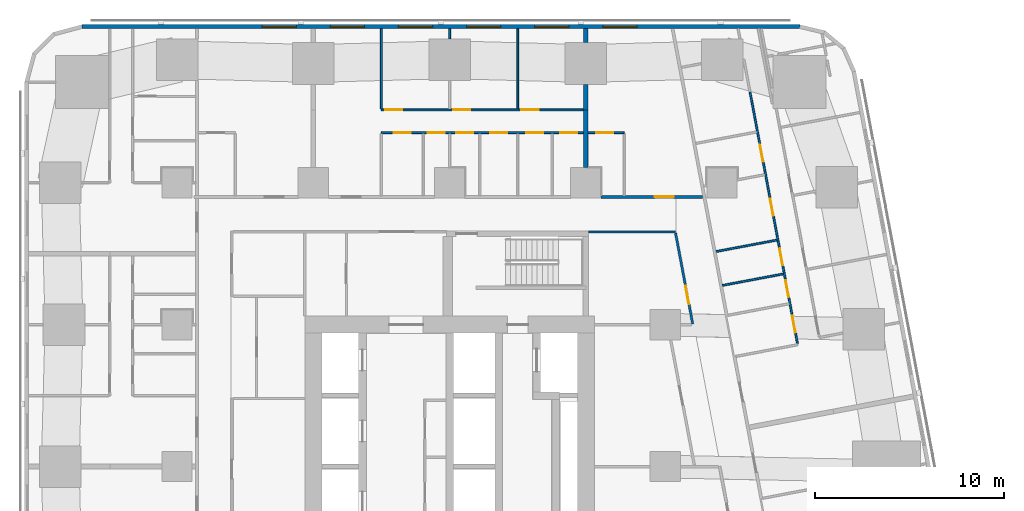
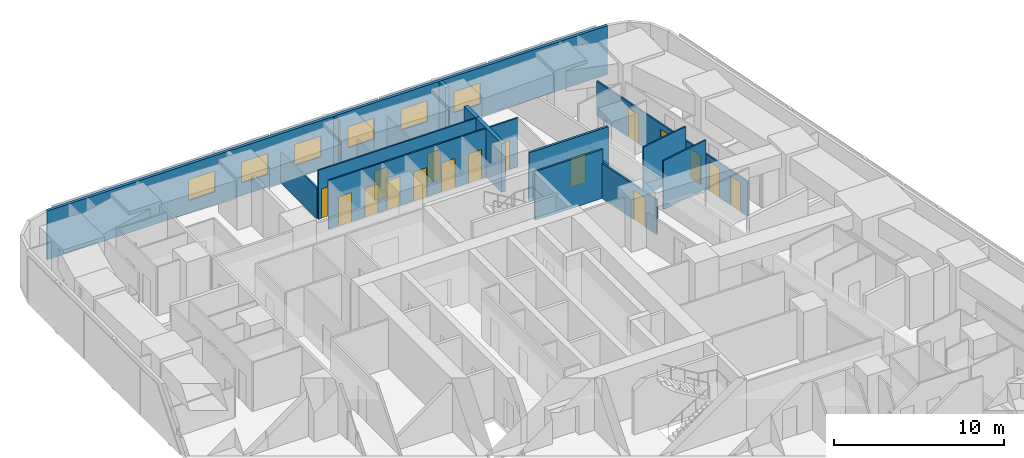
# One storey, part 9 of 15: 17 doors, 16 walls, 6 windows, 23 openings.
"""IFC4 building model written with IfcOpenShell, lengths in metres."""

from ifc_helpers import new_model, si_unit, direction, frame, frame_2d, origin, place, context, subcontext, project, spatial, rectangle, extrude, material, layer, layer_set, type_object, element, fill, save


model = new_model("IFC4")

# Units and contexts
model_context = context("Model", 3, precision=1e-05, world=origin(), true_north=direction((0.0, 1.0)))
body_context = subcontext(model_context, "Body", "Model", "MODEL_VIEW")
ifc_project = project(units=[si_unit("LENGTHUNIT", "METRE"), si_unit("AREAUNIT", "SQUARE_METRE"), si_unit("VOLUMEUNIT", "CUBIC_METRE"), si_unit("PLANEANGLEUNIT", "RADIAN"), si_unit("MASSUNIT", "GRAM", prefix="KILO")], contexts=[model_context])

# Site, building, storey
site_placement = place(None, origin())
site = spatial("IfcSite", under=ifc_project, at=site_placement, CompositionType="ELEMENT")
building_placement = place(site_placement, origin())
building = spatial("IfcBuilding", under=site, at=building_placement, Name="Sheger Commons Tower", CompositionType="ELEMENT")
storey_placement = place(building_placement, frame((0.0, 0.0, 81.64990234375)))
storey = spatial("IfcBuildingStorey", under=building, at=storey_placement, Name="L20", CompositionType="ELEMENT", Elevation=81.64990234375)

# Wall, opening, door
ifc_material_1 = material(Name="Hollow concrete block masonry, skimmed both sides", Category="masonry")
ifc_layer_1 = layer(ifc_material_1, 0.14990234375)
ifc_layer_set_1 = layer_set([ifc_layer_1], Name="CORRIDOR WALL 150")
wall_type_1 = type_object("IfcWallType", Name="CORRIDOR WALL 150", PredefinedType="SOLIDWALL", material=ifc_layer_set_1)
wall_1_placement = place(storey_placement, frame((29.60107421875, 36.75, 0.0), z_axis=(0.0, 0.0, 1.0), x_axis=(1.0, 0.0, 0.0)))
wall_1 = element("IfcWall", 1, at=wall_1_placement, inside=storey, type_object=wall_type_1, Name="Corridor wall L20", PredefinedType="SOLIDWALL", context=body_context, shape_type="SweptSolid", body=[
    extrude(rectangle(XDim=5.371826171875, YDim=0.14990234375, at=frame_2d((2.68603515625, 0.0))), origin(), (0.0, 0.0, 1.0), 3.5),
])
opening_1_placement = place(wall_1_placement, frame((2.844970703125, 0.0, 0.0)))
opening_1 = element("IfcOpeningElement", 2, at=opening_1_placement, cuts=wall_1, Name="Opening D1", PredefinedType="OPENING", context=body_context, shape_type="SweptSolid", body=[
    extrude(rectangle(XDim=1.0, YDim=2.10009765625, at=frame_2d((0.5, 1.050048828125))), frame((0.0, 0.0849609375, 0.0), z_axis=(0.0, -1.0, 0.0), x_axis=(1.0, 0.0, 0.0)), (0.0, 0.0, 1.0), 0.169921875),
])
ifc_material_2 = material(Name="Steel door set, fire rated", Category="steel")
door_type_1 = type_object("IfcDoorType", Name="FLAT ENTRANCE DOOR 1000x2100", OperationType="NOTDEFINED", PredefinedType="DOOR", material=ifc_material_2)
door_1_placement = place(opening_1_placement, origin())
door_1 = element("IfcDoor", 3, at=door_1_placement, inside=storey, type_object=door_type_1, Name="Flat entrance door", OperationType="SINGLE_SWING_RIGHT", OverallHeight=2.10009765625, OverallWidth=1.0, PredefinedType="DOOR", context=body_context, shape_type="SweptSolid", body=[
    extrude(rectangle(XDim=1.0, YDim=2.10009765625, at=frame_2d((0.5, 1.050048828125))), frame((0.0, 0.02490234375, 0.0), z_axis=(0.0, -1.0, 0.0), x_axis=(1.0, 0.0, 0.0)), (0.0, 0.0, 1.0), 0.050048828125),
])
fill(opening_1, door_1)

# Walls
ifc_material_3 = material(Name="Dense concrete block masonry, plastered both sides (separating wall between flats)", Category="masonry")
ifc_layer_2 = layer(ifc_material_3, 0.25)
ifc_layer_set_2 = layer_set([ifc_layer_2], Name="DEMISING WALL 250")
wall_type_2 = type_object("IfcWallType", Name="DEMISING WALL 250", PredefinedType="SOLIDWALL", material=ifc_layer_set_2)
wall_2_placement = place(storey_placement, frame((28.800048828125, 41.35009765625, 0.0), z_axis=(0.0, 0.0, 1.0), x_axis=(0.0, 1.0, 0.0)))
element("IfcWall", 4, at=wall_2_placement, inside=storey, type_object=wall_type_2, Name="Demising wall L20", PredefinedType="SOLIDWALL", context=body_context, shape_type="SweptSolid", body=[
    extrude(rectangle(XDim=1.348876953125, YDim=0.25, at=frame_2d((0.67431640625, 0.0))), origin(), (0.0, 0.0, 1.0), 3.5),
])
wall_3_placement = place(storey_placement, frame((28.800048828125, 44.90087890625, 0.0), z_axis=(0.0, 0.0, 1.0), x_axis=(0.0, 1.0, 0.0)))
element("IfcWall", 5, at=wall_3_placement, inside=storey, type_object=wall_type_2, Name="Demising wall L20", PredefinedType="SOLIDWALL", context=body_context, shape_type="SweptSolid", body=[
    extrude(rectangle(XDim=0.7490234375, YDim=0.25, at=frame_2d((0.37451171875, 0.0))), origin(), (0.0, 0.0, 1.0), 3.5),
])
wall_4_placement = place(storey_placement, frame((28.800048828125, 38.301025390625, 0.0), z_axis=(0.0, 0.0, 1.0), x_axis=(0.0, 1.0, 0.0)))
element("IfcWall", 6, at=wall_4_placement, inside=storey, type_object=wall_type_2, Name="Demising wall L20", PredefinedType="SOLIDWALL", context=body_context, shape_type="SweptSolid", body=[
    extrude(rectangle(XDim=3.049072265625, YDim=0.25, at=frame_2d((1.5244140625, 0.0))), origin(), (0.0, 0.0, 1.0), 3.5),
])

# Wall, openings, windows
ifc_material_4 = material(Name="Rendered concrete block masonry, dark grey", Category="masonry")
ifc_layer_3 = layer(ifc_material_4, 0.199951171875)
ifc_layer_set_3 = layer_set([ifc_layer_3], Name="FACADE WALL 200")
wall_type_3 = type_object("IfcWallType", Name="FACADE WALL 200", PredefinedType="SOLIDWALL", material=ifc_layer_set_3)
wall_5_placement = place(storey_placement, frame((40.10595703125, 45.75, 0.0), z_axis=(0.0, 0.0, 1.0), x_axis=(-1.0, 0.0, 0.0)))
wall_5 = element("IfcWall", 7, at=wall_5_placement, inside=storey, type_object=wall_type_3, Name="Facade wall L20", PredefinedType="SOLIDWALL", context=body_context, shape_type="SweptSolid", body=[
    extrude(rectangle(XDim=37.94287109375, YDim=0.199951171875, at=frame_2d((18.971435546875, 0.0))), origin(), (0.0, 0.0, 1.0), 3.5),
])
opening_2_placement = place(wall_5_placement, frame((8.60595703125, 0.0, 0.89990234375)))
opening_2 = element("IfcOpeningElement", 8, at=opening_2_placement, cuts=wall_5, Name="Opening W2", PredefinedType="OPENING", context=body_context, shape_type="SweptSolid", body=[
    extrude(rectangle(XDim=1.800048828125, YDim=1.5, at=frame_2d((0.89990234375, 0.75))), frame((0.0, 0.10986328125, 0.0), z_axis=(0.0, -1.0, 0.0), x_axis=(1.0, 0.0, 0.0)), (0.0, 0.0, 1.0), 0.219970703125),
])
opening_3_placement = place(wall_5_placement, frame((12.2060546875, 0.0, 0.89990234375)))
opening_3 = element("IfcOpeningElement", 9, at=opening_3_placement, cuts=wall_5, Name="Opening W2", PredefinedType="OPENING", context=body_context, shape_type="SweptSolid", body=[
    extrude(rectangle(XDim=1.800048828125, YDim=1.5, at=frame_2d((0.89990234375, 0.75))), frame((0.0, 0.10986328125, 0.0), z_axis=(0.0, -1.0, 0.0), x_axis=(1.0, 0.0, 0.0)), (0.0, 0.0, 1.0), 0.219970703125),
])
opening_4_placement = place(wall_5_placement, frame((15.805908203125, 0.0, 0.89990234375)))
opening_4 = element("IfcOpeningElement", 10, at=opening_4_placement, cuts=wall_5, Name="Opening W2", PredefinedType="OPENING", context=body_context, shape_type="SweptSolid", body=[
    extrude(rectangle(XDim=1.800048828125, YDim=1.5, at=frame_2d((0.89990234375, 0.75))), frame((0.0, 0.10986328125, 0.0), z_axis=(0.0, -1.0, 0.0), x_axis=(1.0, 0.0, 0.0)), (0.0, 0.0, 1.0), 0.219970703125),
])
opening_5_placement = place(wall_5_placement, frame((19.406005859375, 0.0, 0.89990234375)))
opening_5 = element("IfcOpeningElement", 11, at=opening_5_placement, cuts=wall_5, Name="Opening W2", PredefinedType="OPENING", context=body_context, shape_type="SweptSolid", body=[
    extrude(rectangle(XDim=1.800048828125, YDim=1.5, at=frame_2d((0.89990234375, 0.75))), frame((0.0, 0.10986328125, 0.0), z_axis=(0.0, -1.0, 0.0), x_axis=(1.0, 0.0, 0.0)), (0.0, 0.0, 1.0), 0.219970703125),
])
opening_6_placement = place(wall_5_placement, frame((23.006103515625, 0.0, 0.89990234375)))
opening_6 = element("IfcOpeningElement", 12, at=opening_6_placement, cuts=wall_5, Name="Opening W2", PredefinedType="OPENING", context=body_context, shape_type="SweptSolid", body=[
    extrude(rectangle(XDim=1.800048828125, YDim=1.5, at=frame_2d((0.89990234375, 0.75))), frame((0.0, 0.10986328125, 0.0), z_axis=(0.0, -1.0, 0.0), x_axis=(1.0, 0.0, 0.0)), (0.0, 0.0, 1.0), 0.219970703125),
])
opening_7_placement = place(wall_5_placement, frame((26.60595703125, 0.0, 0.89990234375)))
opening_7 = element("IfcOpeningElement", 13, at=opening_7_placement, cuts=wall_5, Name="Opening W2", PredefinedType="OPENING", context=body_context, shape_type="SweptSolid", body=[
    extrude(rectangle(XDim=1.800048828125, YDim=1.5, at=frame_2d((0.89990234375, 0.75))), frame((0.0, 0.10986328125, 0.0), z_axis=(0.0, -1.0, 0.0), x_axis=(1.0, 0.0, 0.0)), (0.0, 0.0, 1.0), 0.219970703125),
])
ifc_material_5 = material(Name="Black aluminium frame, dark tinted double glazing", Category="aluminium")
window_type = type_object("IfcWindowType", Name="WINDOW W2 1800x1500", PartitioningType="SINGLE_PANEL", PredefinedType="WINDOW", material=ifc_material_5)
window_1_placement = place(opening_2_placement, origin())
window_1 = element("IfcWindow", 14, at=window_1_placement, inside=storey, type_object=window_type, Name="Window W2 1800X1500", OverallHeight=1.5, OverallWidth=1.800048828125, PartitioningType="SINGLE_PANEL", PredefinedType="WINDOW", context=body_context, shape_type="SweptSolid", body=[
    extrude(rectangle(XDim=1.800048828125, YDim=1.5, at=frame_2d((0.89990234375, 0.75))), frame((0.0, 0.030029296875, 0.0), z_axis=(0.0, -1.0, 0.0), x_axis=(1.0, 0.0, 0.0)), (0.0, 0.0, 1.0), 0.06005859375),
])
fill(opening_2, window_1)
window_2_placement = place(opening_3_placement, origin())
window_2 = element("IfcWindow", 15, at=window_2_placement, inside=storey, type_object=window_type, Name="Window W2 1800X1500", OverallHeight=1.5, OverallWidth=1.800048828125, PartitioningType="SINGLE_PANEL", PredefinedType="WINDOW", context=body_context, shape_type="SweptSolid", body=[
    extrude(rectangle(XDim=1.800048828125, YDim=1.5, at=frame_2d((0.89990234375, 0.75))), frame((0.0, 0.030029296875, 0.0), z_axis=(0.0, -1.0, 0.0), x_axis=(1.0, 0.0, 0.0)), (0.0, 0.0, 1.0), 0.06005859375),
])
fill(opening_3, window_2)
window_3_placement = place(opening_4_placement, origin())
window_3 = element("IfcWindow", 16, at=window_3_placement, inside=storey, type_object=window_type, Name="Window W2 1800X1500", OverallHeight=1.5, OverallWidth=1.800048828125, PartitioningType="SINGLE_PANEL", PredefinedType="WINDOW", context=body_context, shape_type="SweptSolid", body=[
    extrude(rectangle(XDim=1.800048828125, YDim=1.5, at=frame_2d((0.89990234375, 0.75))), frame((0.0, 0.030029296875, 0.0), z_axis=(0.0, -1.0, 0.0), x_axis=(1.0, 0.0, 0.0)), (0.0, 0.0, 1.0), 0.06005859375),
])
fill(opening_4, window_3)
window_4_placement = place(opening_5_placement, origin())
window_4 = element("IfcWindow", 17, at=window_4_placement, inside=storey, type_object=window_type, Name="Window W2 1800X1500", OverallHeight=1.5, OverallWidth=1.800048828125, PartitioningType="SINGLE_PANEL", PredefinedType="WINDOW", context=body_context, shape_type="SweptSolid", body=[
    extrude(rectangle(XDim=1.800048828125, YDim=1.5, at=frame_2d((0.89990234375, 0.75))), frame((0.0, 0.030029296875, 0.0), z_axis=(0.0, -1.0, 0.0), x_axis=(1.0, 0.0, 0.0)), (0.0, 0.0, 1.0), 0.06005859375),
])
fill(opening_5, window_4)
window_5_placement = place(opening_6_placement, origin())
window_5 = element("IfcWindow", 18, at=window_5_placement, inside=storey, type_object=window_type, Name="Window W2 1800X1500", OverallHeight=1.5, OverallWidth=1.800048828125, PartitioningType="SINGLE_PANEL", PredefinedType="WINDOW", context=body_context, shape_type="SweptSolid", body=[
    extrude(rectangle(XDim=1.800048828125, YDim=1.5, at=frame_2d((0.89990234375, 0.75))), frame((0.0, 0.030029296875, 0.0), z_axis=(0.0, -1.0, 0.0), x_axis=(1.0, 0.0, 0.0)), (0.0, 0.0, 1.0), 0.06005859375),
])
fill(opening_6, window_5)
window_6_placement = place(opening_7_placement, origin())
window_6 = element("IfcWindow", 19, at=window_6_placement, inside=storey, type_object=window_type, Name="Window W2 1800X1500", OverallHeight=1.5, OverallWidth=1.800048828125, PartitioningType="SINGLE_PANEL", PredefinedType="WINDOW", context=body_context, shape_type="SweptSolid", body=[
    extrude(rectangle(XDim=1.800048828125, YDim=1.5, at=frame_2d((0.89990234375, 0.75))), frame((0.0, 0.030029296875, 0.0), z_axis=(0.0, -1.0, 0.0), x_axis=(1.0, 0.0, 0.0)), (0.0, 0.0, 1.0), 0.06005859375),
])
fill(opening_7, window_6)

# Wall, openings, doors
ifc_material_6 = material(Name="Gypsum board on steel studs", Category="steel")
ifc_layer_4 = layer(ifc_material_6, 0.10009765625)
ifc_layer_set_4 = layer_set([ifc_layer_4], Name="PARTITION 100")
wall_type_4 = type_object("IfcWallType", Name="PARTITION 100", PredefinedType="PARTITIONING", material=ifc_layer_set_4)
wall_6_placement = place(storey_placement, frame((37.472900390625, 42.30908203125, 0.0), z_axis=(0.0, 0.0, 1.0), x_axis=(0.185570636839, -0.982630927024, 0.0)))
wall_6 = element("IfcWall", 20, at=wall_6_placement, inside=storey, type_object=wall_type_4, Name="Partition L20", PredefinedType="PARTITIONING", context=body_context, shape_type="SweptSolid", body=[
    extrude(rectangle(XDim=13.553466796875, YDim=0.10009765625, at=frame_2d((6.77685546875, 0.0))), origin(), (0.0, 0.0, 1.0), 2.5),
])
opening_8_placement = place(wall_6_placement, frame((12.049072265625, 0.0, 0.0)))
opening_8 = element("IfcOpeningElement", 21, at=opening_8_placement, cuts=wall_6, Name="Opening D2", PredefinedType="OPENING", context=body_context, shape_type="SweptSolid", body=[
    extrude(rectangle(XDim=0.89990234375, YDim=2.10009765625, at=frame_2d((0.449951171875, 1.050048828125))), frame((0.0, 0.06005859375, 0.0), z_axis=(0.0, -1.0, 0.0), x_axis=(1.0, 0.0, 0.0)), (0.0, 0.0, 1.0), 0.1201171875),
])
opening_9_placement = place(wall_6_placement, frame((8.427001953125, 0.0, 0.0)))
opening_9 = element("IfcOpeningElement", 22, at=opening_9_placement, cuts=wall_6, Name="Opening D2", PredefinedType="OPENING", context=body_context, shape_type="SweptSolid", body=[
    extrude(rectangle(XDim=0.89990234375, YDim=2.10009765625, at=frame_2d((0.449951171875, 1.050048828125))), frame((0.0, 0.06005859375, 0.0), z_axis=(0.0, -1.0, 0.0), x_axis=(1.0, 0.0, 0.0)), (0.0, 0.0, 1.0), 0.1201171875),
])
opening_10_placement = place(wall_6_placement, frame((2.85302734375, 0.0, 0.0)))
opening_10 = element("IfcOpeningElement", 23, at=opening_10_placement, cuts=wall_6, Name="Opening D2", PredefinedType="OPENING", context=body_context, shape_type="SweptSolid", body=[
    extrude(rectangle(XDim=0.89990234375, YDim=2.10009765625, at=frame_2d((0.449951171875, 1.050048828125))), frame((0.0, 0.06005859375, 0.0), z_axis=(0.0, -1.0, 0.0), x_axis=(1.0, 0.0, 0.0)), (0.0, 0.0, 1.0), 0.1201171875),
])
opening_11_placement = place(wall_6_placement, frame((10.139892578125, 0.0, 0.0)))
opening_11 = element("IfcOpeningElement", 24, at=opening_11_placement, cuts=wall_6, Name="Opening D2", PredefinedType="OPENING", context=body_context, shape_type="SweptSolid", body=[
    extrude(rectangle(XDim=0.89990234375, YDim=2.10009765625, at=frame_2d((0.449951171875, 1.050048828125))), frame((0.0, 0.06005859375, 0.0), z_axis=(0.0, -1.0, 0.0), x_axis=(1.0, 0.0, 0.0)), (0.0, 0.0, 1.0), 0.1201171875),
])
opening_12_placement = place(wall_6_placement, frame((5.759033203125, 0.0, 0.0)))
opening_12 = element("IfcOpeningElement", 25, at=opening_12_placement, cuts=wall_6, Name="Opening D2", PredefinedType="OPENING", context=body_context, shape_type="SweptSolid", body=[
    extrude(rectangle(XDim=0.89990234375, YDim=2.10009765625, at=frame_2d((0.449951171875, 1.050048828125))), frame((0.0, 0.06005859375, 0.0), z_axis=(0.0, -1.0, 0.0), x_axis=(1.0, 0.0, 0.0)), (0.0, 0.0, 1.0), 0.1201171875),
])
ifc_material_7 = material(Name="Timber door set", Category="wood")
door_type_2 = type_object("IfcDoorType", Name="INTERNAL DOOR 900x2100", OperationType="NOTDEFINED", PredefinedType="DOOR", material=ifc_material_7)
door_2_placement = place(opening_8_placement, origin())
door_2 = element("IfcDoor", 26, at=door_2_placement, inside=storey, type_object=door_type_2, Name="Bathroom door", OperationType="SINGLE_SWING_LEFT", OverallHeight=2.10009765625, OverallWidth=0.89990234375, PredefinedType="DOOR", context=body_context, shape_type="SweptSolid", body=[
    extrude(rectangle(XDim=0.89990234375, YDim=2.10009765625, at=frame_2d((0.449951171875, 1.050048828125))), frame((0.0, 0.02490234375, 0.0), z_axis=(0.0, -1.0, 0.0), x_axis=(1.0, 0.0, 0.0)), (0.0, 0.0, 1.0), 0.050048828125),
])
fill(opening_8, door_2)
door_3_placement = place(opening_9_placement, origin())
door_3 = element("IfcDoor", 27, at=door_3_placement, inside=storey, type_object=door_type_2, Name="Laundry room door", OperationType="SINGLE_SWING_RIGHT", OverallHeight=2.10009765625, OverallWidth=0.89990234375, PredefinedType="DOOR", context=body_context, shape_type="SweptSolid", body=[
    extrude(rectangle(XDim=0.89990234375, YDim=2.10009765625, at=frame_2d((0.449951171875, 1.050048828125))), frame((0.0, 0.02490234375, 0.0), z_axis=(0.0, -1.0, 0.0), x_axis=(1.0, 0.0, 0.0)), (0.0, 0.0, 1.0), 0.050048828125),
])
fill(opening_9, door_3)
door_4_placement = place(opening_10_placement, origin())
door_4 = element("IfcDoor", 28, at=door_4_placement, inside=storey, type_object=door_type_2, Name="Laundry room door", OperationType="SINGLE_SWING_RIGHT", OverallHeight=2.10009765625, OverallWidth=0.89990234375, PredefinedType="DOOR", context=body_context, shape_type="SweptSolid", body=[
    extrude(rectangle(XDim=0.89990234375, YDim=2.10009765625, at=frame_2d((0.449951171875, 1.050048828125))), frame((0.0, 0.02490234375, 0.0), z_axis=(0.0, -1.0, 0.0), x_axis=(1.0, 0.0, 0.0)), (0.0, 0.0, 1.0), 0.050048828125),
])
fill(opening_10, door_4)
door_5_placement = place(opening_11_placement, origin())
door_5 = element("IfcDoor", 29, at=door_5_placement, inside=storey, type_object=door_type_2, Name="Store door", OperationType="SINGLE_SWING_LEFT", OverallHeight=2.10009765625, OverallWidth=0.89990234375, PredefinedType="DOOR", context=body_context, shape_type="SweptSolid", body=[
    extrude(rectangle(XDim=0.89990234375, YDim=2.10009765625, at=frame_2d((0.449951171875, 1.050048828125))), frame((0.0, 0.02490234375, 0.0), z_axis=(0.0, -1.0, 0.0), x_axis=(1.0, 0.0, 0.0)), (0.0, 0.0, 1.0), 0.050048828125),
])
fill(opening_11, door_5)
door_6_placement = place(opening_12_placement, origin())
door_6 = element("IfcDoor", 30, at=door_6_placement, inside=storey, type_object=door_type_2, Name="Store door", OperationType="SINGLE_SWING_LEFT", OverallHeight=2.10009765625, OverallWidth=0.89990234375, PredefinedType="DOOR", context=body_context, shape_type="SweptSolid", body=[
    extrude(rectangle(XDim=0.89990234375, YDim=2.10009765625, at=frame_2d((0.449951171875, 1.050048828125))), frame((0.0, 0.02490234375, 0.0), z_axis=(0.0, -1.0, 0.0), x_axis=(1.0, 0.0, 0.0)), (0.0, 0.0, 1.0), 0.050048828125),
])
fill(opening_12, door_6)

# Walls
wall_7_placement = place(storey_placement, frame((39.239990234375, 32.68310546875, 0.0), z_axis=(0.0, 0.0, 1.0), x_axis=(-0.982607026909, -0.185697147715, 0.0)))
element("IfcWall", 31, at=wall_7_placement, inside=storey, type_object=wall_type_4, Name="Partition L20", PredefinedType="PARTITIONING", context=body_context, shape_type="SweptSolid", body=[
    extrude(rectangle(XDim=3.27490234375, YDim=0.10009765625, at=frame_2d((1.637451171875, 0.0))), origin(), (0.0, 0.0, 1.0), 3.5),
])
wall_8_placement = place(storey_placement, frame((38.902099609375, 34.470947265625, 0.0), z_axis=(0.0, 0.0, 1.0), x_axis=(-0.982664729897, -0.18539155487, 0.0)))
element("IfcWall", 32, at=wall_8_placement, inside=storey, type_object=wall_type_4, Name="Partition L20", PredefinedType="PARTITIONING", context=body_context, shape_type="SweptSolid", body=[
    extrude(rectangle(XDim=3.273681640625, YDim=0.10009765625, at=frame_2d((1.63671875, 0.0))), origin(), (0.0, 0.0, 1.0), 3.5),
])

# Wall, openings, doors
wall_9_placement = place(storey_placement, frame((18.0, 41.35009765625, 0.0), z_axis=(0.0, 0.0, 1.0), x_axis=(1.0, 0.0, 0.0)))
wall_9 = element("IfcWall", 33, at=wall_9_placement, inside=storey, type_object=wall_type_4, Name="Partition L20", PredefinedType="PARTITIONING", context=body_context, shape_type="SweptSolid", body=[
    extrude(rectangle(XDim=10.675048828125, YDim=0.10009765625, at=frame_2d((5.33740234375, 0.0))), origin(), (0.0, 0.0, 1.0), 3.5),
])
opening_13_placement = place(wall_9_placement, frame((0.199951171875, 0.0, 0.0)))
opening_13 = element("IfcOpeningElement", 34, at=opening_13_placement, cuts=wall_9, Name="Opening D2", PredefinedType="OPENING", context=body_context, shape_type="SweptSolid", body=[
    extrude(rectangle(XDim=0.89990234375, YDim=2.10009765625, at=frame_2d((0.449951171875, 1.050048828125))), frame((0.0, 0.06005859375, 0.0), z_axis=(0.0, -1.0, 0.0), x_axis=(1.0, 0.0, 0.0)), (0.0, 0.0, 1.0), 0.1201171875),
])
opening_14_placement = place(wall_9_placement, frame((3.800048828125, 0.0, 0.0)))
opening_14 = element("IfcOpeningElement", 35, at=opening_14_placement, cuts=wall_9, Name="Opening D2", PredefinedType="OPENING", context=body_context, shape_type="SweptSolid", body=[
    extrude(rectangle(XDim=0.89990234375, YDim=2.10009765625, at=frame_2d((0.449951171875, 1.050048828125))), frame((0.0, 0.06005859375, 0.0), z_axis=(0.0, -1.0, 0.0), x_axis=(1.0, 0.0, 0.0)), (0.0, 0.0, 1.0), 0.1201171875),
])
opening_15_placement = place(wall_9_placement, frame((7.39990234375, 0.0, 0.0)))
opening_15 = element("IfcOpeningElement", 36, at=opening_15_placement, cuts=wall_9, Name="Opening D2", PredefinedType="OPENING", context=body_context, shape_type="SweptSolid", body=[
    extrude(rectangle(XDim=0.89990234375, YDim=2.10009765625, at=frame_2d((0.449951171875, 1.050048828125))), frame((0.0, 0.06005859375, 0.0), z_axis=(0.0, -1.0, 0.0), x_axis=(1.0, 0.0, 0.0)), (0.0, 0.0, 1.0), 0.1201171875),
])
door_7_placement = place(opening_13_placement, origin())
door_7 = element("IfcDoor", 37, at=door_7_placement, inside=storey, type_object=door_type_2, Name="Main bedroom door", OperationType="SINGLE_SWING_LEFT", OverallHeight=2.10009765625, OverallWidth=0.89990234375, PredefinedType="DOOR", context=body_context, shape_type="SweptSolid", body=[
    extrude(rectangle(XDim=0.89990234375, YDim=2.10009765625, at=frame_2d((0.449951171875, 1.050048828125))), frame((0.0, 0.02490234375, 0.0), z_axis=(0.0, -1.0, 0.0), x_axis=(1.0, 0.0, 0.0)), (0.0, 0.0, 1.0), 0.050048828125),
])
fill(opening_13, door_7)
door_8_placement = place(opening_14_placement, origin())
door_8 = element("IfcDoor", 38, at=door_8_placement, inside=storey, type_object=door_type_2, Name="Bedroom 2 door", OperationType="SINGLE_SWING_LEFT", OverallHeight=2.10009765625, OverallWidth=0.89990234375, PredefinedType="DOOR", context=body_context, shape_type="SweptSolid", body=[
    extrude(rectangle(XDim=0.89990234375, YDim=2.10009765625, at=frame_2d((0.449951171875, 1.050048828125))), frame((0.0, 0.02490234375, 0.0), z_axis=(0.0, -1.0, 0.0), x_axis=(1.0, 0.0, 0.0)), (0.0, 0.0, 1.0), 0.050048828125),
])
fill(opening_14, door_8)
door_9_placement = place(opening_15_placement, origin())
door_9 = element("IfcDoor", 39, at=door_9_placement, inside=storey, type_object=door_type_2, Name="Bedroom 3 door", OperationType="SINGLE_SWING_LEFT", OverallHeight=2.10009765625, OverallWidth=0.89990234375, PredefinedType="DOOR", context=body_context, shape_type="SweptSolid", body=[
    extrude(rectangle(XDim=0.89990234375, YDim=2.10009765625, at=frame_2d((0.449951171875, 1.050048828125))), frame((0.0, 0.02490234375, 0.0), z_axis=(0.0, -1.0, 0.0), x_axis=(1.0, 0.0, 0.0)), (0.0, 0.0, 1.0), 0.050048828125),
])
fill(opening_15, door_9)

wall_10_placement = place(storey_placement, frame((18.0, 40.14990234375, 0.0), z_axis=(0.0, 0.0, 1.0), x_axis=(1.0, 0.0, 0.0)))
wall_10 = element("IfcWall", 40, at=wall_10_placement, inside=storey, type_object=wall_type_4, Name="Partition L20", PredefinedType="PARTITIONING", context=body_context, shape_type="SweptSolid", body=[
    extrude(rectangle(XDim=10.675048828125, YDim=0.10009765625, at=frame_2d((5.33740234375, 0.0))), origin(), (0.0, 0.0, 1.0), 3.5),
])
opening_16_placement = place(wall_10_placement, frame((0.655029296875, 0.0, 0.0)))
opening_16 = element("IfcOpeningElement", 41, at=opening_16_placement, cuts=wall_10, Name="Opening D2", PredefinedType="OPENING", context=body_context, shape_type="SweptSolid", body=[
    extrude(rectangle(XDim=0.89990234375, YDim=2.10009765625, at=frame_2d((0.449951171875, 1.050048828125))), frame((0.0, 0.06005859375, 0.0), z_axis=(0.0, -1.0, 0.0), x_axis=(1.0, 0.0, 0.0)), (0.0, 0.0, 1.0), 0.1201171875),
])
opening_17_placement = place(wall_10_placement, frame((3.949951171875, 0.0, 0.0)))
opening_17 = element("IfcOpeningElement", 42, at=opening_17_placement, cuts=wall_10, Name="Opening D2", PredefinedType="OPENING", context=body_context, shape_type="SweptSolid", body=[
    extrude(rectangle(XDim=0.89990234375, YDim=2.10009765625, at=frame_2d((0.449951171875, 1.050048828125))), frame((0.0, 0.06005859375, 0.0), z_axis=(0.0, -1.0, 0.0), x_axis=(1.0, 0.0, 0.0)), (0.0, 0.0, 1.0), 0.1201171875),
])
opening_18_placement = place(wall_10_placement, frame((7.659912109375, 0.0, 0.0)))
opening_18 = element("IfcOpeningElement", 43, at=opening_18_placement, cuts=wall_10, Name="Opening D2", PredefinedType="OPENING", context=body_context, shape_type="SweptSolid", body=[
    extrude(rectangle(XDim=0.89990234375, YDim=2.10009765625, at=frame_2d((0.449951171875, 1.050048828125))), frame((0.0, 0.06005859375, 0.0), z_axis=(0.0, -1.0, 0.0), x_axis=(1.0, 0.0, 0.0)), (0.0, 0.0, 1.0), 0.1201171875),
])
opening_19_placement = place(wall_10_placement, frame((2.455078125, 0.0, 0.0)))
opening_19 = element("IfcOpeningElement", 44, at=opening_19_placement, cuts=wall_10, Name="Opening D2", PredefinedType="OPENING", context=body_context, shape_type="SweptSolid", body=[
    extrude(rectangle(XDim=0.89990234375, YDim=2.10009765625, at=frame_2d((0.449951171875, 1.050048828125))), frame((0.0, 0.06005859375, 0.0), z_axis=(0.0, -1.0, 0.0), x_axis=(1.0, 0.0, 0.0)), (0.0, 0.0, 1.0), 0.1201171875),
])
opening_20_placement = place(wall_10_placement, frame((5.75, 0.0, 0.0)))
opening_20 = element("IfcOpeningElement", 45, at=opening_20_placement, cuts=wall_10, Name="Opening D2", PredefinedType="OPENING", context=body_context, shape_type="SweptSolid", body=[
    extrude(rectangle(XDim=0.89990234375, YDim=2.10009765625, at=frame_2d((0.449951171875, 1.050048828125))), frame((0.0, 0.06005859375, 0.0), z_axis=(0.0, -1.0, 0.0), x_axis=(1.0, 0.0, 0.0)), (0.0, 0.0, 1.0), 0.1201171875),
])
opening_21_placement = place(wall_10_placement, frame((9.4599609375, 0.0, 0.0)))
opening_21 = element("IfcOpeningElement", 46, at=opening_21_placement, cuts=wall_10, Name="Opening D2", PredefinedType="OPENING", context=body_context, shape_type="SweptSolid", body=[
    extrude(rectangle(XDim=0.89990234375, YDim=2.10009765625, at=frame_2d((0.449951171875, 1.050048828125))), frame((0.0, 0.06005859375, 0.0), z_axis=(0.0, -1.0, 0.0), x_axis=(1.0, 0.0, 0.0)), (0.0, 0.0, 1.0), 0.1201171875),
])
door_10_placement = place(opening_16_placement, origin())
door_10 = element("IfcDoor", 47, at=door_10_placement, inside=storey, type_object=door_type_2, Name="Bathroom door", OperationType="SINGLE_SWING_RIGHT", OverallHeight=2.10009765625, OverallWidth=0.89990234375, PredefinedType="DOOR", context=body_context, shape_type="SweptSolid", body=[
    extrude(rectangle(XDim=0.89990234375, YDim=2.10009765625, at=frame_2d((0.449951171875, 1.050048828125))), frame((0.0, 0.02490234375, 0.0), z_axis=(0.0, -1.0, 0.0), x_axis=(1.0, 0.0, 0.0)), (0.0, 0.0, 1.0), 0.050048828125),
])
fill(opening_16, door_10)
door_11_placement = place(opening_17_placement, origin())
door_11 = element("IfcDoor", 48, at=door_11_placement, inside=storey, type_object=door_type_2, Name="Shower room door", OperationType="SINGLE_SWING_RIGHT", OverallHeight=2.10009765625, OverallWidth=0.89990234375, PredefinedType="DOOR", context=body_context, shape_type="SweptSolid", body=[
    extrude(rectangle(XDim=0.89990234375, YDim=2.10009765625, at=frame_2d((0.449951171875, 1.050048828125))), frame((0.0, 0.02490234375, 0.0), z_axis=(0.0, -1.0, 0.0), x_axis=(1.0, 0.0, 0.0)), (0.0, 0.0, 1.0), 0.050048828125),
])
fill(opening_17, door_11)
door_12_placement = place(opening_18_placement, origin())
door_12 = element("IfcDoor", 49, at=door_12_placement, inside=storey, type_object=door_type_2, Name="Laundry room door", OperationType="SINGLE_SWING_RIGHT", OverallHeight=2.10009765625, OverallWidth=0.89990234375, PredefinedType="DOOR", context=body_context, shape_type="SweptSolid", body=[
    extrude(rectangle(XDim=0.89990234375, YDim=2.10009765625, at=frame_2d((0.449951171875, 1.050048828125))), frame((0.0, 0.02490234375, 0.0), z_axis=(0.0, -1.0, 0.0), x_axis=(1.0, 0.0, 0.0)), (0.0, 0.0, 1.0), 0.050048828125),
])
fill(opening_18, door_12)
door_13_placement = place(opening_19_placement, origin())
door_13 = element("IfcDoor", 50, at=door_13_placement, inside=storey, type_object=door_type_2, Name="Store door", OperationType="SINGLE_SWING_LEFT", OverallHeight=2.10009765625, OverallWidth=0.89990234375, PredefinedType="DOOR", context=body_context, shape_type="SweptSolid", body=[
    extrude(rectangle(XDim=0.89990234375, YDim=2.10009765625, at=frame_2d((0.449951171875, 1.050048828125))), frame((0.0, 0.02490234375, 0.0), z_axis=(0.0, -1.0, 0.0), x_axis=(1.0, 0.0, 0.0)), (0.0, 0.0, 1.0), 0.050048828125),
])
fill(opening_19, door_13)
door_14_placement = place(opening_20_placement, origin())
door_14 = element("IfcDoor", 51, at=door_14_placement, inside=storey, type_object=door_type_2, Name="Store door", OperationType="SINGLE_SWING_LEFT", OverallHeight=2.10009765625, OverallWidth=0.89990234375, PredefinedType="DOOR", context=body_context, shape_type="SweptSolid", body=[
    extrude(rectangle(XDim=0.89990234375, YDim=2.10009765625, at=frame_2d((0.449951171875, 1.050048828125))), frame((0.0, 0.02490234375, 0.0), z_axis=(0.0, -1.0, 0.0), x_axis=(1.0, 0.0, 0.0)), (0.0, 0.0, 1.0), 0.050048828125),
])
fill(opening_20, door_14)
door_15_placement = place(opening_21_placement, origin())
door_15 = element("IfcDoor", 52, at=door_15_placement, inside=storey, type_object=door_type_2, Name="Store door", OperationType="SINGLE_SWING_LEFT", OverallHeight=2.10009765625, OverallWidth=0.89990234375, PredefinedType="DOOR", context=body_context, shape_type="SweptSolid", body=[
    extrude(rectangle(XDim=0.89990234375, YDim=2.10009765625, at=frame_2d((0.449951171875, 1.050048828125))), frame((0.0, 0.02490234375, 0.0), z_axis=(0.0, -1.0, 0.0), x_axis=(1.0, 0.0, 0.0)), (0.0, 0.0, 1.0), 0.050048828125),
])
fill(opening_21, door_15)

# Walls
wall_11_placement = place(storey_placement, frame((18.0, 41.39990234375, 0.0), z_axis=(0.0, 0.0, 1.0), x_axis=(0.0, 1.0, 0.0)))
element("IfcWall", 53, at=wall_11_placement, inside=storey, type_object=wall_type_4, Name="Partition L20", PredefinedType="PARTITIONING", context=body_context, shape_type="SweptSolid", body=[
    extrude(rectangle(XDim=4.25, YDim=0.10009765625, at=frame_2d((2.125, 0.0))), origin(), (0.0, 0.0, 1.0), 2.2001953125),
])
wall_12_placement = place(storey_placement, frame((21.60009765625, 45.10107421875, 0.0), z_axis=(0.0, 0.0, 1.0), x_axis=(0.0, 1.0, 0.0)))
element("IfcWall", 54, at=wall_12_placement, inside=storey, type_object=wall_type_4, Name="Partition L20", PredefinedType="PARTITIONING", context=body_context, shape_type="SweptSolid", body=[
    extrude(rectangle(XDim=0.548828125, YDim=0.10009765625, at=frame_2d((0.2744140625, 0.0))), origin(), (0.0, 0.0, 1.0), 3.5),
])
wall_13_placement = place(storey_placement, frame((25.199951171875, 41.39990234375, 0.0), z_axis=(0.0, 0.0, 1.0), x_axis=(0.0, 1.0, 0.0)))
element("IfcWall", 55, at=wall_13_placement, inside=storey, type_object=wall_type_4, Name="Partition L20", PredefinedType="PARTITIONING", context=body_context, shape_type="SweptSolid", body=[
    extrude(rectangle(XDim=4.25, YDim=0.10009765625, at=frame_2d((2.125, 0.0))), origin(), (0.0, 0.0, 1.0), 2.2001953125),
])

# Wall, opening, door
wall_14_placement = place(storey_placement, frame((28.925048828125, 40.14990234375, 0.0), z_axis=(0.0, 0.0, 1.0), x_axis=(1.0, 0.0, 0.0)))
wall_14 = element("IfcWall", 56, at=wall_14_placement, inside=storey, type_object=wall_type_4, Name="Partition L20", PredefinedType="PARTITIONING", context=body_context, shape_type="SweptSolid", body=[
    extrude(rectangle(XDim=1.904052734375, YDim=0.10009765625, at=frame_2d((0.9521484375, 0.0))), origin(), (0.0, 0.0, 1.0), 3.5),
])
opening_22_placement = place(wall_14_placement, frame((0.425048828125, 0.0, 0.0)))
opening_22 = element("IfcOpeningElement", 57, at=opening_22_placement, cuts=wall_14, Name="Opening D2", PredefinedType="OPENING", context=body_context, shape_type="SweptSolid", body=[
    extrude(rectangle(XDim=0.89990234375, YDim=2.10009765625, at=frame_2d((0.449951171875, 1.050048828125))), frame((0.0, 0.06005859375, 0.0), z_axis=(0.0, -1.0, 0.0), x_axis=(1.0, 0.0, 0.0)), (0.0, 0.0, 1.0), 0.1201171875),
])
door_16_placement = place(opening_22_placement, origin())
door_16 = element("IfcDoor", 58, at=door_16_placement, inside=storey, type_object=door_type_2, Name="Shower room door", OperationType="SINGLE_SWING_RIGHT", OverallHeight=2.10009765625, OverallWidth=0.89990234375, PredefinedType="DOOR", context=body_context, shape_type="SweptSolid", body=[
    extrude(rectangle(XDim=0.89990234375, YDim=2.10009765625, at=frame_2d((0.449951171875, 1.050048828125))), frame((0.0, 0.02490234375, 0.0), z_axis=(0.0, -1.0, 0.0), x_axis=(1.0, 0.0, 0.0)), (0.0, 0.0, 1.0), 0.050048828125),
])
fill(opening_22, door_16)

# Wall
ifc_material_8 = material(Name="Gypsum board on steel studs, two layers each side, fire rated", Category="steel")
ifc_layer_5 = layer(ifc_material_8, 0.125)
ifc_layer_set_5 = layer_set([ifc_layer_5], Name="SERVICE WALL 125")
wall_type_5 = type_object("IfcWallType", Name="SERVICE WALL 125", PredefinedType="PARTITIONING", material=ifc_layer_set_5)
wall_15_placement = place(storey_placement, frame((28.949951171875, 34.89990234375, 0.0), z_axis=(0.0, 0.0, 1.0), x_axis=(1.0, 0.0, 0.0)))
element("IfcWall", 59, at=wall_15_placement, inside=storey, type_object=wall_type_5, Name="Service room wall L20", PredefinedType="PARTITIONING", context=body_context, shape_type="SweptSolid", body=[
    extrude(rectangle(XDim=4.588134765625, YDim=0.125, at=frame_2d((2.2939453125, 0.0))), origin(), (0.0, 0.0, 1.0), 3.5),
])

# Wall, opening, door
wall_16_placement = place(storey_placement, frame((34.447998046875, 30.0400390625, 0.0), z_axis=(0.0, 0.0, 1.0), x_axis=(-0.185749459238, 0.982597139418, 0.0)))
wall_16 = element("IfcWall", 60, at=wall_16_placement, inside=storey, type_object=wall_type_5, Name="Service room wall L20", PredefinedType="PARTITIONING", context=body_context, shape_type="SweptSolid", body=[
    extrude(rectangle(XDim=4.8828125, YDim=0.125, at=frame_2d((2.44140625, 0.0))), origin(), (0.0, 0.0, 1.0), 2.5),
])
opening_23_placement = place(wall_16_placement, frame((1.050048828125, 0.0, 0.0)))
opening_23 = element("IfcOpeningElement", 61, at=opening_23_placement, cuts=wall_16, Name="Opening D4", PredefinedType="OPENING", context=body_context, shape_type="SweptSolid", body=[
    extrude(rectangle(XDim=1.0, YDim=2.10009765625, at=frame_2d((0.5, 1.050048828125))), frame((0.0, 0.072509765625, 0.0), z_axis=(0.0, -1.0, 0.0), x_axis=(1.0, 0.0, 0.0)), (0.0, 0.0, 1.0), 0.14501953125),
])
ifc_material_9 = material(Name="Steel door set, fire rated", Category="steel")
door_type_3 = type_object("IfcDoorType", Name="SERVICE DOOR 1000x2100", OperationType="NOTDEFINED", PredefinedType="DOOR", material=ifc_material_9)
door_17_placement = place(opening_23_placement, origin())
door_17 = element("IfcDoor", 62, at=door_17_placement, inside=storey, type_object=door_type_3, Name="Linen store door", OperationType="SINGLE_SWING_LEFT", OverallHeight=2.10009765625, OverallWidth=1.0, PredefinedType="DOOR", context=body_context, shape_type="SweptSolid", body=[
    extrude(rectangle(XDim=1.0, YDim=2.10009765625, at=frame_2d((0.5, 1.050048828125))), frame((0.0, 0.02490234375, 0.0), z_axis=(0.0, -1.0, 0.0), x_axis=(1.0, 0.0, 0.0)), (0.0, 0.0, 1.0), 0.050048828125),
])
fill(opening_23, door_17)

save(model, "model.ifc")
